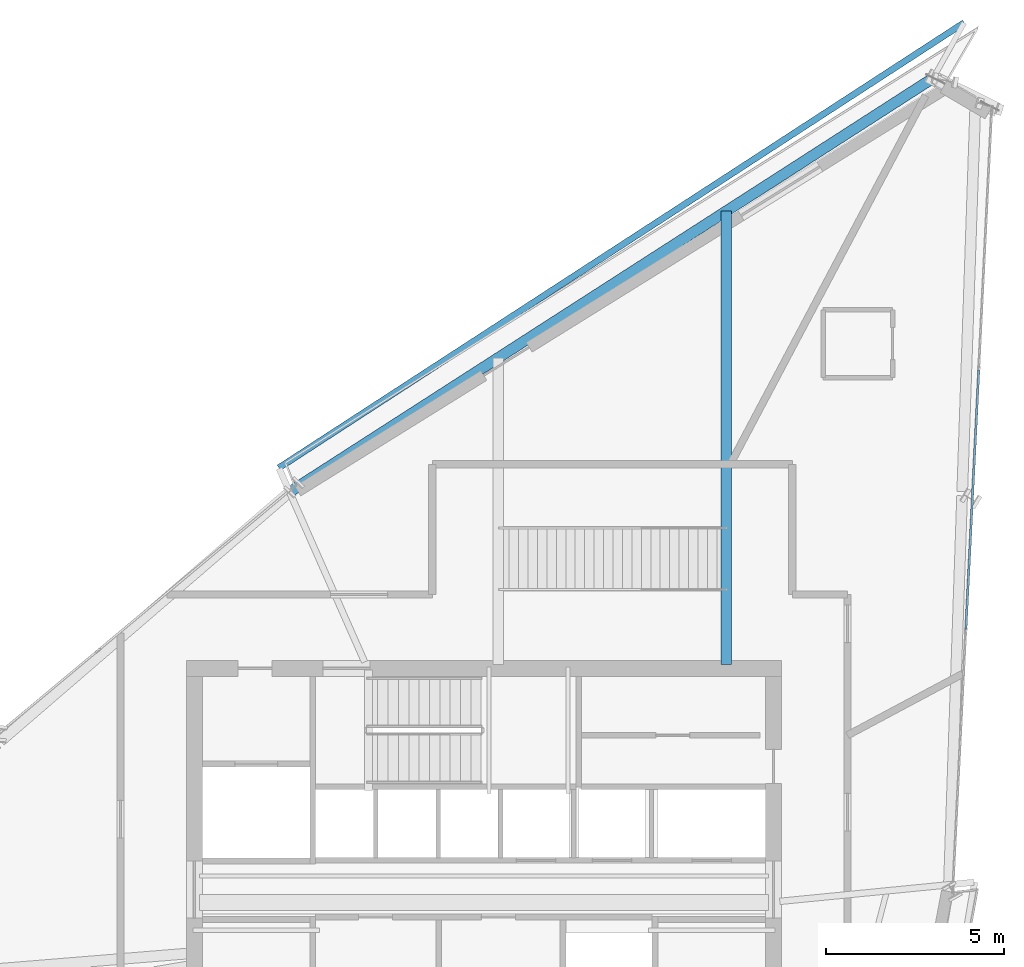
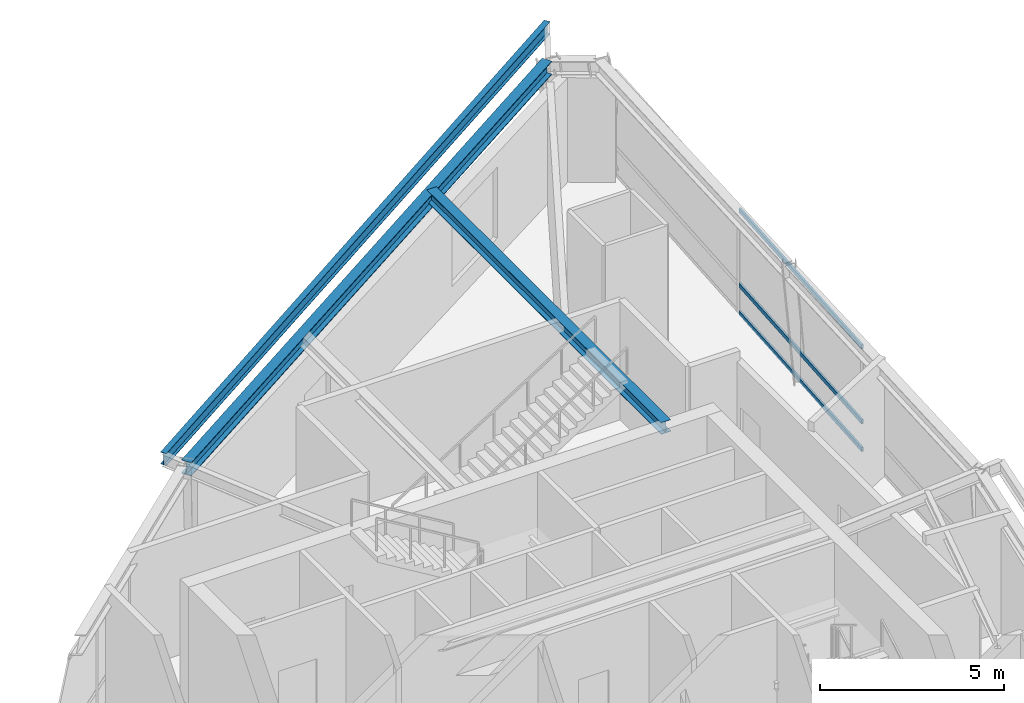
# One storey, part 11 of 21: 3 beams, 3 members, 1 element without a shape of its own.
"""IFC4 building model written with IfcOpenShell, lengths in metres."""

from ifc_helpers import new_model, si_unit, direction, frame, origin, origin_2d, place, context, subcontext, project, spatial, hollow_rectangle, i_section, extrude, source, transform, mapped, material, material_profile, profile_set, type_object, element, aggregate, save


model = new_model("IFC4")

# Units and contexts
model_context = context("Model", 3, precision=1e-05, world=origin(), true_north=direction((0.0, 1.0)))
body_context = subcontext(model_context, "Body", "Model", "MODEL_VIEW")
ifc_project = project(units=[si_unit("LENGTHUNIT", "METRE"), si_unit("AREAUNIT", "SQUARE_METRE"), si_unit("VOLUMEUNIT", "CUBIC_METRE"), si_unit("PLANEANGLEUNIT", "RADIAN"), si_unit("MASSUNIT", "GRAM", prefix="KILO")], contexts=[model_context])

# Site, building, storey
site_placement = place(None, origin())
site = spatial("IfcSite", under=ifc_project, at=site_placement, CompositionType="ELEMENT")
building_placement = place(site_placement, origin())
building = spatial("IfcBuilding", under=site, at=building_placement, Name="Olszyna Solenne Hotel", CompositionType="ELEMENT")
storey_placement = place(building_placement, frame((0.0, 0.0, 277.699951171875)))
storey = spatial("IfcBuildingStorey", under=building, at=storey_placement, Name="L74", CompositionType="ELEMENT", Elevation=277.699951171875)

# Beams
ifc_material_1 = material(Name="Steel S355J2", Category="steel")
ifc_material_profile_1 = material_profile(ifc_material_1, i_section(OverallWidth=0.300048828125, OverallDepth=0.449951171875, WebThickness=0.013916015625, FlangeThickness=0.02587890625, at=origin_2d()), Name="HEB 450", Category="load-bearing")
ifc_profile_set_1 = profile_set([ifc_material_profile_1], Name="Steel S355J2")
beam_type_1 = type_object("IfcBeamType", Name="BM-S4", PredefinedType="BEAM", material=ifc_profile_set_1)
shared_shape_1 = source(origin(), body_context, "Body", "SweptSolid", [
    extrude(i_section(OverallWidth=0.300048828125, OverallDepth=0.449951171875, WebThickness=0.013916015625, FlangeThickness=0.02587890625, at=origin_2d()), origin(), (0.0, 0.0, 1.0), 21.368408203125),
])
beam_1_placement = place(storey_placement, frame((50.552734375, 50.45361328125, 3.695068359375), z_axis=(-0.841029584309, -0.540989129574, 0.0), x_axis=(0.540989129574, -0.841029584309, 0.0)))
element("IfcBeam", 1, at=beam_1_placement, inside=storey, type_object=beam_type_1, Name="Perimeter spandrel beam BM-S4 B-L74-2169", PredefinedType="BEAM", context=body_context, shape_type="MappedRepresentation", body=[
    mapped(shared_shape_1, transform((0.0, 0.0, 0.0), x_axis=(1.0, 0.0, 0.0), y_axis=(0.0, 1.0, 0.0), z_axis=(0.0, 0.0, 1.0), scale=1.0)),
])
ifc_material_profile_2 = material_profile(ifc_material_1, i_section(OverallWidth=0.300048828125, OverallDepth=0.389892578125, WebThickness=0.010986328125, FlangeThickness=0.01904296875, at=origin_2d()), Name="HEA 400", Category="load-bearing")
ifc_profile_set_2 = profile_set([ifc_material_profile_2], Name="Steel S355J2")
beam_type_2 = type_object("IfcBeamType", Name="BM-G2", PredefinedType="BEAM", material=ifc_profile_set_2)
shared_shape_2 = source(origin(), body_context, "Body", "SweptSolid", [
    extrude(i_section(OverallWidth=0.300048828125, OverallDepth=0.389892578125, WebThickness=0.010986328125, FlangeThickness=0.01904296875, at=origin_2d()), origin(), (0.0, 0.0, 1.0), 12.72314453125),
])
beam_2_placement = place(storey_placement, frame((44.800048828125, 34.030029296875, 3.72509765625), z_axis=(0.0, 1.0, 0.0), x_axis=(-1.0, 0.0, 0.0)))
element("IfcBeam", 2, at=beam_2_placement, inside=storey, type_object=beam_type_2, Name="Feature stair East arrival girder BM-G2 B-L74-2189", PredefinedType="BEAM", context=body_context, shape_type="MappedRepresentation", body=[
    mapped(shared_shape_2, transform((0.0, 0.0, 0.0), x_axis=(1.0, 0.0, 0.0), y_axis=(0.0, 1.0, 0.0), z_axis=(0.0, 0.0, 1.0), scale=1.0)),
])
ifc_material_profile_3 = material_profile(ifc_material_1, i_section(OverallWidth=0.179931640625, OverallDepth=0.39990234375, WebThickness=0.008544921875, FlangeThickness=0.013427734375, at=origin_2d()), Name="IPE 400", Category="load-bearing")
ifc_profile_set_3 = profile_set([ifc_material_profile_3], Name="Steel S355J2")
beam_type_3 = type_object("IfcBeamType", Name="BM-F5", PredefinedType="BEAM", material=ifc_profile_set_3)
shared_shape_3 = source(origin(), body_context, "Body", "SweptSolid", [
    extrude(i_section(OverallWidth=0.179931640625, OverallDepth=0.39990234375, WebThickness=0.008544921875, FlangeThickness=0.013427734375, at=origin_2d()), origin(), (0.0, 0.0, 1.0), 22.92822265625),
])
beam_3_placement = place(storey_placement, frame((51.474365234375, 52.03955078125, 3.719970703125), z_axis=(-0.838646206958, -0.54467654581, 0.0), x_axis=(0.54467654581, -0.838646206958, 0.0)))
element("IfcBeam", 3, at=beam_3_placement, inside=storey, type_object=beam_type_3, Name="Loggia outer edge beam BM-F5 B-L74-2192", PredefinedType="BEAM", context=body_context, shape_type="MappedRepresentation", body=[
    mapped(shared_shape_3, transform((0.0, 0.0, 0.0), x_axis=(1.0, 0.0, 0.0), y_axis=(0.0, 1.0, 0.0), z_axis=(0.0, 0.0, 1.0), scale=1.0)),
])

# Curtain wall, members
ifc_material_2 = material(Name="Anodised bronze aluminium", Category="aluminium")
curtain_wall_type = type_object("IfcCurtainWallType", Name="CW-SYS-7", PredefinedType="NOTDEFINED", material=ifc_material_2)
curtain_wall_placement = place(storey_placement, origin())
curtain_wall = element("IfcCurtainWall", 4, at=curtain_wall_placement, inside=storey, type_object=curtain_wall_type, Name="Unitised curtain wall CW-SYS-7 CW-L74-03", PredefinedType="NOTDEFINED")
ifc_material_profile_4 = material_profile(ifc_material_2, hollow_rectangle(XDim=0.06494140625, YDim=0.139892578125, WallThickness=0.00390625, at=origin_2d()), Name="TRAN 140x65x4", Category="load-bearing")
ifc_profile_set_4 = profile_set([ifc_material_profile_4], Name="Anodised bronze aluminium")
member_type = type_object("IfcMemberType", Name="CW-T2", PredefinedType="USERDEFINED", material=ifc_profile_set_4)
shared_shape_4 = source(origin(), body_context, "Body", "SweptSolid", [
    extrude(hollow_rectangle(XDim=0.06494140625, YDim=0.139892578125, WallThickness=0.00390625, at=origin_2d()), origin(), (0.0, 0.0, 1.0), 7.2861328125),
])
member_1_placement = place(storey_placement, frame((51.52099609375, 35.016845703125, 0.032470703125), z_axis=(0.04972537276, 0.998762928479, 0.0), x_axis=(-0.998762928479, 0.04972537276, 0.0)))
member_1 = element("IfcMember", 5, at=member_1_placement, type_object=member_type, Name="Curtain-wall transom CW-T2 CT-L74-03-04", ObjectType="TRANSOM", PredefinedType="USERDEFINED", context=body_context, shape_type="MappedRepresentation", body=[
    mapped(shared_shape_4, transform((0.0, 0.0, 0.0), x_axis=(1.0, 0.0, 0.0), y_axis=(0.0, 1.0, 0.0), z_axis=(0.0, 0.0, 1.0), scale=1.0)),
])
member_2_placement = place(storey_placement, frame((51.52099609375, 35.016845703125, 0.949951171875), z_axis=(0.04972537276, 0.998762928479, 0.0), x_axis=(-0.998762928479, 0.04972537276, 0.0)))
member_2 = element("IfcMember", 6, at=member_2_placement, type_object=member_type, Name="Curtain-wall transom CW-T2 CT-L74-03-05", ObjectType="TRANSOM", PredefinedType="USERDEFINED", context=body_context, shape_type="MappedRepresentation", body=[
    mapped(shared_shape_4, transform((0.0, 0.0, 0.0), x_axis=(1.0, 0.0, 0.0), y_axis=(0.0, 1.0, 0.0), z_axis=(0.0, 0.0, 1.0), scale=1.0)),
])
member_3_placement = place(storey_placement, frame((51.52099609375, 35.016845703125, 3.429443359375), z_axis=(0.04972537276, 0.998762928479, 0.0), x_axis=(-0.998762928479, 0.04972537276, 0.0)))
member_3 = element("IfcMember", 7, at=member_3_placement, type_object=member_type, Name="Curtain-wall transom CW-T2 CT-L74-03-06", ObjectType="TRANSOM", PredefinedType="USERDEFINED", context=body_context, shape_type="MappedRepresentation", body=[
    mapped(shared_shape_4, transform((0.0, 0.0, 0.0), x_axis=(1.0, 0.0, 0.0), y_axis=(0.0, 1.0, 0.0), z_axis=(0.0, 0.0, 1.0), scale=1.0)),
])
aggregate(curtain_wall, [member_1, member_2, member_3])

save(model, "model.ifc")
